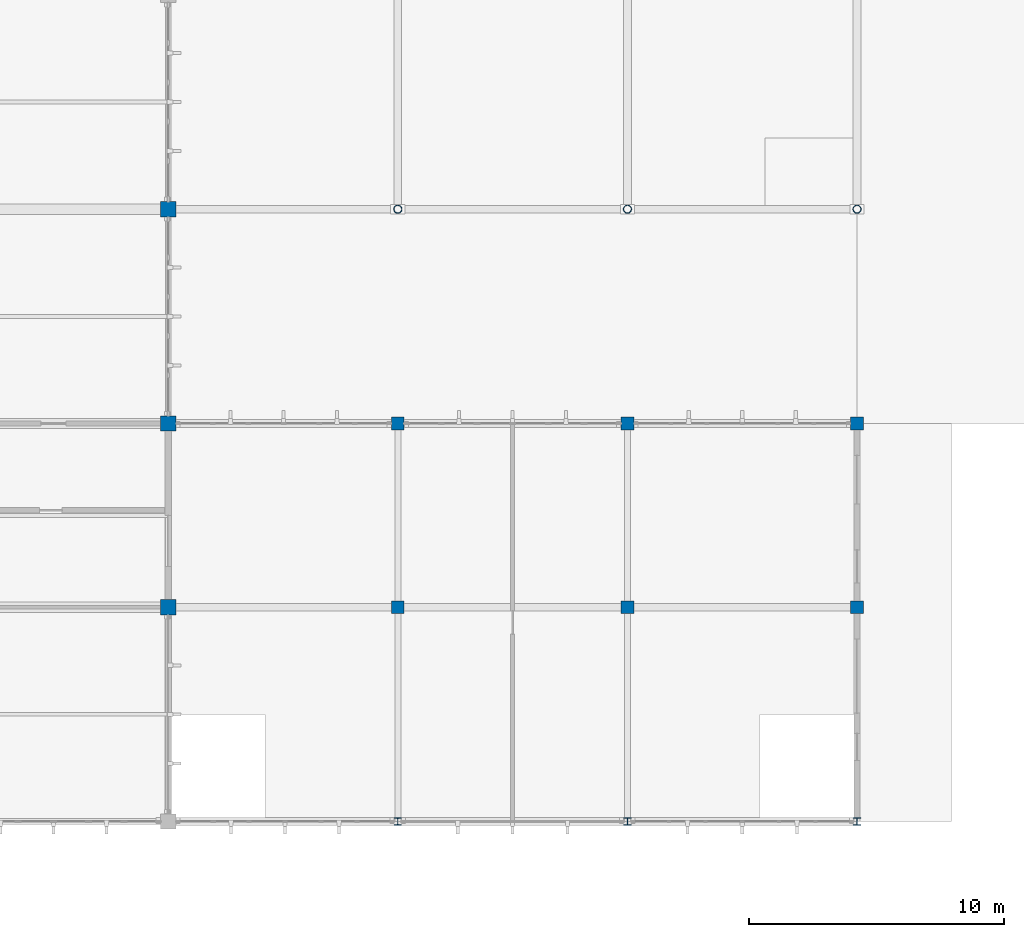
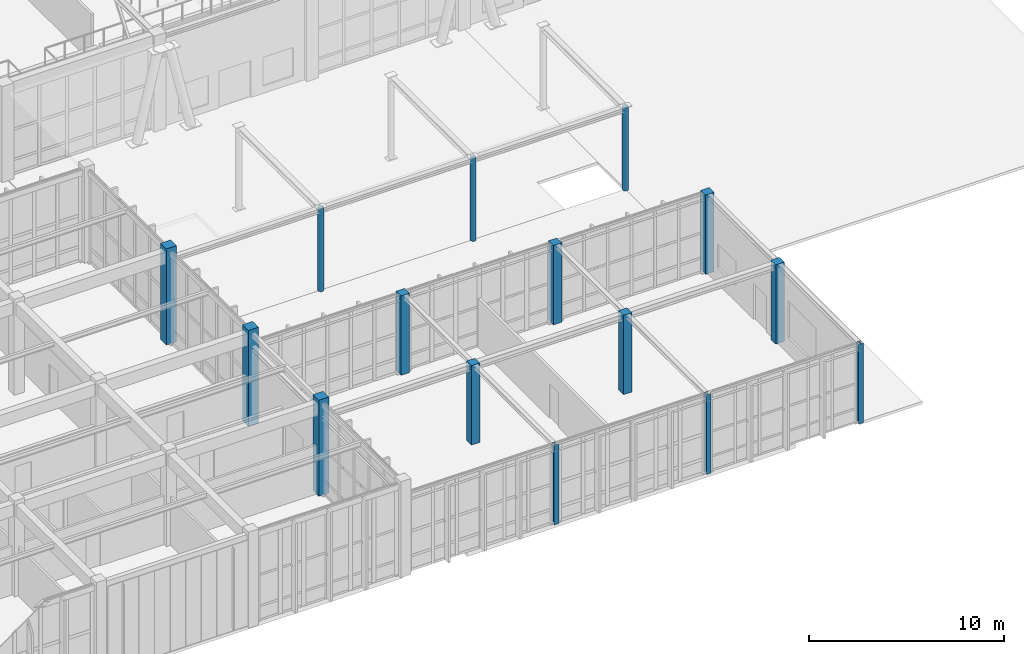
# One storey, part 5 of 110: 15 columns.
"""IFC4 building model written with IfcOpenShell, lengths in metres."""

from ifc_helpers import new_model, si_unit, direction, frame, origin, origin_2d, place, context, subcontext, project, spatial, rectangle, hollow_circle, i_section, extrude, material, material_profile, profile_set, type_object, element, save


model = new_model("IFC4")

# Units and contexts
model_context = context("Model", 3, precision=1e-05, world=origin(), true_north=direction((0.0, 1.0)))
body_context = subcontext(model_context, "Body", "Model", "MODEL_VIEW")
ifc_project = project(units=[si_unit("LENGTHUNIT", "METRE"), si_unit("AREAUNIT", "SQUARE_METRE"), si_unit("VOLUMEUNIT", "CUBIC_METRE"), si_unit("PLANEANGLEUNIT", "RADIAN"), si_unit("MASSUNIT", "GRAM", prefix="KILO")], contexts=[model_context])

# Site, building, storey
site_placement = place(None, origin())
site = spatial("IfcSite", under=ifc_project, at=site_placement, CompositionType="ELEMENT")
building_placement = place(site_placement, origin())
building = spatial("IfcBuilding", under=site, at=building_placement, Name="Tizgana Railside Sports Hall", CompositionType="ELEMENT")
storey_placement = place(building_placement, origin())
storey = spatial("IfcBuildingStorey", under=building, at=storey_placement, Name="L00", CompositionType="ELEMENT", Elevation=0.0)

# Columns
ifc_material_1 = material(Name="Concrete C35/45", Category="concrete")
ifc_material_profile_1 = material_profile(ifc_material_1, rectangle(XDim=0.5, YDim=0.5, at=origin_2d()), Name="RC 500x500")
ifc_profile_set_1 = profile_set([ifc_material_profile_1], Name="Concrete C35/45")
column_type_1 = type_object("IfcColumnType", Name="Concrete Column RC 500x500", PredefinedType="COLUMN", material=ifc_profile_set_1)
for number, where, z_axis, x_axis, name in (
    (1, (106.800048828125, 8.39990234375, 0.0), (0.0, 0.0, 1.0), (1.0, 0.0, 0.0), "L00 COL-0891"),
    (2, (106.800048828125, 15.60009765625, 0.0), (0.0, 0.0, 1.0), (1.0, 0.0, 0.0), "L00 COL-0893"),
    (3, (115.800048828125, 8.39990234375, 0.0), (0.0, 0.0, 1.0), (1.0, 0.0, 0.0), "L00 COL-0897"),
    (4, (115.800048828125, 15.60009765625, 0.0), (0.0, 0.0, 1.0), (1.0, 0.0, 0.0), "L00 COL-0899"),
    (5, (124.800048828125, 8.39990234375, 0.0), (0.0, 0.0, 1.0), (1.0, 0.0, 0.0), "L00 COL-0903"),
    (6, (124.800048828125, 15.60009765625, 0.0), (0.0, 0.0, 1.0), (1.0, 0.0, 0.0), "L00 COL-0905"),
):
    element("IfcColumn", number, at=place(storey_placement, frame(where, z_axis=z_axis, x_axis=x_axis)), inside=storey, type_object=column_type_1, Name=name, PredefinedType="COLUMN", context=body_context, shape_type="SweptSolid", body=[
        extrude(rectangle(XDim=0.5, YDim=0.5, at=origin_2d()), origin(), (0.0, 0.0, 1.0), 4.9599609375),
    ])
ifc_material_2 = material(Name="Concrete C40/50", Category="concrete")
ifc_material_profile_2 = material_profile(ifc_material_2, rectangle(XDim=0.60009765625, YDim=0.60009765625, at=origin_2d()), Name="RC 600x600")
ifc_profile_set_2 = profile_set([ifc_material_profile_2], Name="Concrete C40/50")
column_type_2 = type_object("IfcColumnType", Name="Concrete Column RC 600x600", PredefinedType="COLUMN", material=ifc_profile_set_2)
for number, where, z_axis, x_axis, name in (
    (7, (97.800048828125, 8.39990234375, 0.0), (0.0, 0.0, 1.0), (1.0, 0.0, 0.0), "L00 COL-0845"),
    (8, (97.800048828125, 15.60009765625, 0.0), (0.0, 0.0, 1.0), (1.0, 0.0, 0.0), "L00 COL-0849"),
    (9, (97.800048828125, 24.0, 0.0), (0.0, 0.0, 1.0), (1.0, 0.0, 0.0), "L00 COL-0853"),
):
    element("IfcColumn", number, at=place(storey_placement, frame(where, z_axis=z_axis, x_axis=x_axis)), inside=storey, type_object=column_type_2, Name=name, PredefinedType="COLUMN", context=body_context, shape_type="SweptSolid", body=[
        extrude(rectangle(XDim=0.60009765625, YDim=0.60009765625, at=origin_2d()), origin(), (0.0, 0.0, 1.0), 6.0),
    ])
ifc_material_3 = material(Name="Steel S355J2", Category="steel")
ifc_material_profile_3 = material_profile(ifc_material_3, hollow_circle(Radius=0.161865234375, WallThickness=0.01611328125, at=origin_2d()), Name="CHS 323.9x16")
ifc_profile_set_3 = profile_set([ifc_material_profile_3], Name="Steel S355J2")
column_type_3 = type_object("IfcColumnType", Name="Steel Column CHS 323.9x16", PredefinedType="COLUMN", material=ifc_profile_set_3)
for number, where, z_axis, x_axis, name in (
    (10, (106.800048828125, 24.0, 0.0), (0.0, 0.0, 1.0), (1.0, 0.0, 0.0), "L00 COL-0861"),
    (11, (115.800048828125, 24.0, 0.0), (0.0, 0.0, 1.0), (1.0, 0.0, 0.0), "L00 COL-0865"),
    (12, (124.800048828125, 24.0, 0.0), (0.0, 0.0, 1.0), (1.0, 0.0, 0.0), "L00 COL-0869"),
):
    element("IfcColumn", number, at=place(storey_placement, frame(where, z_axis=z_axis, x_axis=x_axis)), inside=storey, type_object=column_type_3, Name=name, PredefinedType="COLUMN", context=body_context, shape_type="SweptSolid", body=[
        extrude(hollow_circle(Radius=0.161865234375, WallThickness=0.01611328125, at=origin_2d()), origin(), (0.0, 0.0, 1.0), 5.199951171875),
    ])
ifc_material_profile_4 = material_profile(ifc_material_3, i_section(OverallWidth=0.280029296875, OverallDepth=0.280029296875, WebThickness=0.010498046875, FlangeThickness=0.01806640625, FilletRadius=0.02392578125, at=origin_2d()), Name="HEB 280")
ifc_profile_set_4 = profile_set([ifc_material_profile_4], Name="Steel S355J2")
column_type_4 = type_object("IfcColumnType", Name="Steel Column HEB 280", PredefinedType="COLUMN", material=ifc_profile_set_4)
for number, where, z_axis, x_axis, name in (
    (13, (106.800048828125, 0.0, 0.0), (0.0, 0.0, 1.0), (1.0, 0.0, 0.0), "L00 COL-0889"),
    (14, (115.800048828125, 0.0, 0.0), (0.0, 0.0, 1.0), (1.0, 0.0, 0.0), "L00 COL-0895"),
    (15, (124.800048828125, 0.0, 0.0), (0.0, 0.0, 1.0), (1.0, 0.0, 0.0), "L00 COL-0901"),
):
    element("IfcColumn", number, at=place(storey_placement, frame(where, z_axis=z_axis, x_axis=x_axis)), inside=storey, type_object=column_type_4, Name=name, PredefinedType="COLUMN", context=body_context, shape_type="SweptSolid", body=[
        extrude(i_section(OverallWidth=0.280029296875, OverallDepth=0.280029296875, WebThickness=0.010498046875, FlangeThickness=0.01806640625, FilletRadius=0.02392578125, at=origin_2d()), origin(), (0.0, 0.0, 1.0), 4.9599609375),
    ])

save(model, "model.ifc")
